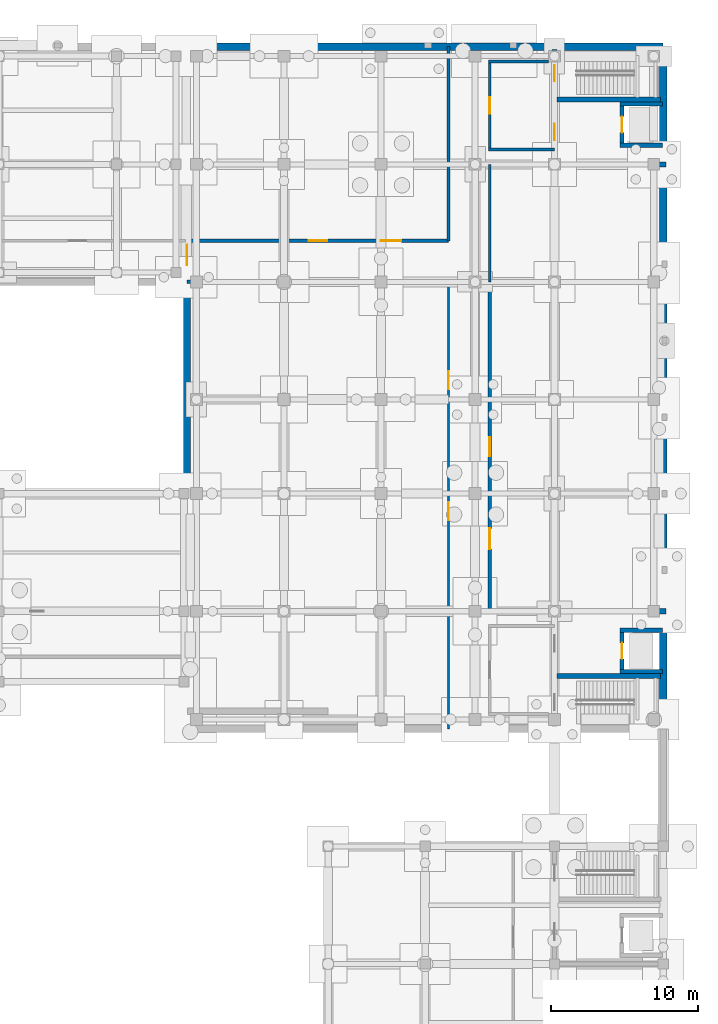
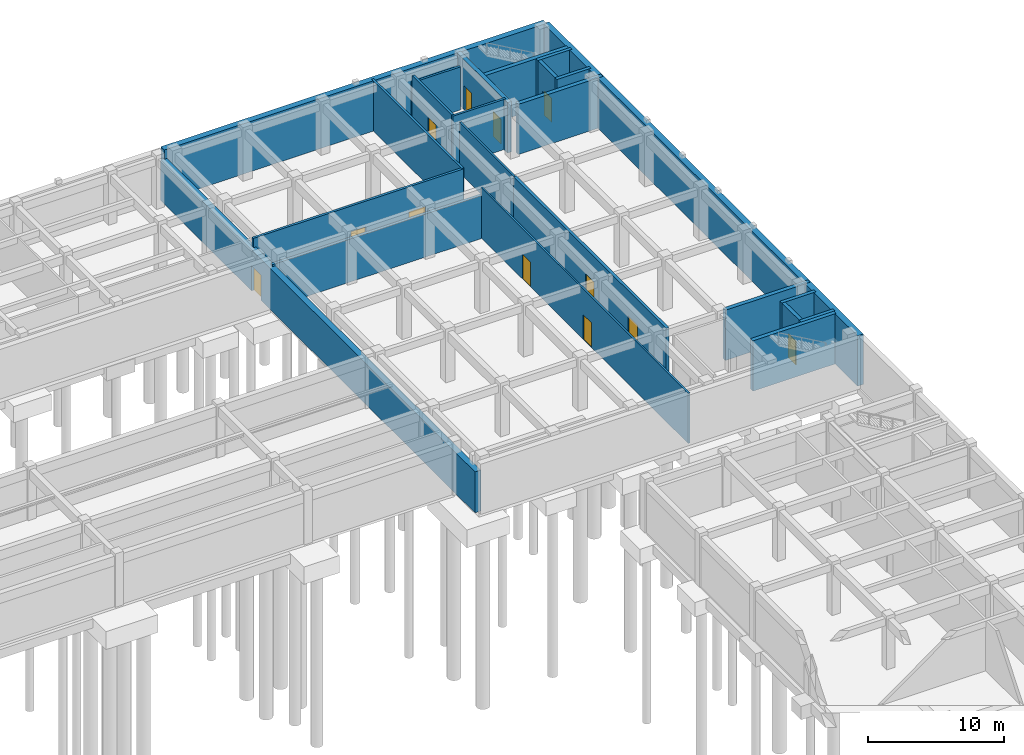
# One storey, part 27 of 35: 23 walls, 12 doors, 12 openings.
"""IFC4 building model written with IfcOpenShell, lengths in metres."""

import ifcopenshell
import ifcopenshell.guid

model = None  # the IFC model being written
_history = None  # IfcOwnerHistory: only IFC2X3 demands one
_inside = {}  # id of a spatial element -> (the spatial element, [elements in it])
_under = {}  # id of a project, library or spatial element -> (it, [spatial elements below it])
_declared = {}  # id of a project -> (the project, [libraries it declares])
_typed = {}  # id of a type object -> (the type object, [elements of that type])
_made_of = {}  # id of a material, layer set ... -> (it, [elements and type objects made of it])


def new_model(schema):
    """Start an empty IFC model of exactly this schema.

    Asked for "IFC4X3", IfcOpenShell would pick the latest addendum, in which some entities
    have other attributes; the version numbers below select the first issue.
    IFC2X3 requires an IfcOwnerHistory on every rooted entity: one is made here for all.
    """
    global model, _history
    if schema == "IFC4X3":
        model = ifcopenshell.file(schema_version=(4, 3, 0, 0))
    else:
        model = ifcopenshell.file(schema=schema)
    _inside.clear()
    _under.clear()
    _declared.clear()
    _typed.clear()
    _made_of.clear()
    _history = None
    if model.schema == "IFC2X3":
        org = make("IfcOrganization", Name="unknown")
        user = make(
            "IfcPersonAndOrganization",
            ThePerson=make("IfcPerson", FamilyName="unknown"),
            TheOrganization=org,
        )
        app = make(
            "IfcApplication",
            ApplicationDeveloper=org,
            Version="unknown",
            ApplicationFullName="unknown",
            ApplicationIdentifier="unknown",
        )
        _history = make(
            "IfcOwnerHistory",
            OwningUser=user,
            OwningApplication=app,
            ChangeAction="ADDED",
            CreationDate=0,
        )
    return model


def make(cls, **values):
    """One entity of the class cls with the attributes given. An attribute that is None is left unset."""
    return model.create_entity(
        cls, **{name: value for name, value in values.items() if value is not None}
    )


def rooted(cls, **values):
    """An entity with a GlobalId (a new one), such as an element, a storey or a relation."""
    return make(cls, GlobalId=ifcopenshell.guid.new(), OwnerHistory=_history, **values)


def si_unit(unit_type, name, prefix=None):
    """IfcSIUnit, for example si_unit("LENGTHUNIT", "METRE", prefix="MILLI")."""
    return make("IfcSIUnit", UnitType=unit_type, Prefix=prefix, Name=name)


def assignment(units):
    """IfcUnitAssignment: the units of a project."""
    return None if units is None else make("IfcUnitAssignment", Units=units)


def point(xyz):
    """IfcCartesianPoint."""
    return None if xyz is None else make("IfcCartesianPoint", Coordinates=xyz)


def direction(xyz):
    """IfcDirection."""
    return None if xyz is None else make("IfcDirection", DirectionRatios=xyz)


def frame(location, z_axis=None, x_axis=None):
    """IfcAxis2Placement3D, a coordinate frame: its origin and axes. An axis left out is left unset."""
    return make(
        "IfcAxis2Placement3D",
        Location=point(location),
        Axis=direction(z_axis),
        RefDirection=direction(x_axis),
    )


def frame_2d(location, x_axis=None):
    """IfcAxis2Placement2D, a coordinate frame in the plane: its origin and x axis."""
    return make(
        "IfcAxis2Placement2D", Location=point(location), RefDirection=direction(x_axis)
    )


def origin():
    """The frame at (0, 0, 0) with its axes left unset."""
    return frame((0.0, 0.0, 0.0))


def place(relative_to, where):
    """IfcLocalPlacement: puts the frame where relative to a parent placement (None: the world)."""
    return make(
        "IfcLocalPlacement", PlacementRelTo=relative_to, RelativePlacement=where
    )


def context(
    kind, dimensions, precision=None, world=None, true_north=None, identifier=None
):
    """IfcGeometricRepresentationContext, for example the 3D "Model" context."""
    return make(
        "IfcGeometricRepresentationContext",
        ContextIdentifier=identifier,
        ContextType=kind,
        CoordinateSpaceDimension=dimensions,
        Precision=precision,
        WorldCoordinateSystem=world,
        TrueNorth=true_north,
    )


def subcontext(parent, identifier, kind, view, scale=None):
    """IfcGeometricRepresentationSubContext, for example "Body" below "Model"."""
    return make(
        "IfcGeometricRepresentationSubContext",
        ContextIdentifier=identifier,
        ContextType=kind,
        ParentContext=parent,
        TargetScale=scale,
        TargetView=view,
    )


def project(units=None, contexts=None):
    """IfcProject with its units and contexts."""
    return rooted(
        "IfcProject",
        Name="project",
        RepresentationContexts=contexts,
        UnitsInContext=assignment(units),
    )


def spatial(cls, under=None, at=None, **own):
    """A site, building, storey or space (cls), placed at a placement, below another one or the project."""
    s = rooted(cls, ObjectPlacement=at, **own)
    if under is not None:
        _under.setdefault(under.id(), (under, []))[1].append(s)
    return s


def profile(cls, at=None, kind="AREA", **sizes):
    """A parametric profile (cls). Its sizes go by their IFC names, for example OverallWidth=200.0."""
    return make(cls, ProfileType=kind, Position=at, **sizes)


def rectangle(**sizes):
    """IfcRectangleProfileDef."""
    return profile("IfcRectangleProfileDef", **sizes)


def extrude(swept, where, along, depth):
    """IfcExtrudedAreaSolid: the profile swept, set in the frame where, extruded along a direction by depth."""
    return make(
        "IfcExtrudedAreaSolid",
        SweptArea=swept,
        Position=where,
        ExtrudedDirection=direction(along),
        Depth=depth,
    )


def shape(context_of_items, identifier, shape_type, items):
    """IfcShapeRepresentation: the items that make up one representation, for example the "Body"."""
    return make(
        "IfcShapeRepresentation",
        ContextOfItems=context_of_items,
        RepresentationIdentifier=identifier,
        RepresentationType=shape_type,
        Items=items,
    )


def material(Name=None, Category=None):
    """IfcMaterial."""
    return make("IfcMaterial", Name=Name, Category=Category)


def layer(
    of_material, thickness, ventilated=None, Name=None, Category=None, Priority=None
):
    """IfcMaterialLayer: one layer of a wall or slab, of a material (None: an air gap)."""
    return make(
        "IfcMaterialLayer",
        Material=of_material,
        LayerThickness=thickness,
        IsVentilated=ventilated,
        Name=Name,
        Category=Category,
        Priority=Priority,
    )


def layer_set(layers, Name=None):
    """IfcMaterialLayerSet."""
    return make("IfcMaterialLayerSet", MaterialLayers=layers, LayerSetName=Name)


def made_of(thing, what):
    """Note that an element or type object is made of a material, layer set ...; save() writes the relation."""
    if what is not None:
        _made_of.setdefault(what.id(), (what, []))[1].append(thing)
    return thing


def type_object(cls, material=None, **own):
    """A type object (cls), such as IfcWallType, which elements share."""
    return made_of(rooted(cls, **own), material)


def element(
    cls,
    number,
    at=None,
    inside=None,
    cuts=None,
    type_object=None,
    material=None,
    context=None,
    identifier="Body",
    shape_type=None,
    held_by="IfcProductDefinitionShape",
    body=None,
    shapes=None,
    **own,
):
    """One element of the class cls, such as IfcWall. Its Tag is "e" and its number.

    at: its placement. inside: the storey or other place that contains it. cuts: it is an
    opening in that element (IfcRelVoidsElement). A single representation is given by context,
    identifier, shape_type and body (its items); several are given by shapes. held_by: the class
    of the entity that holds the representations. save() writes the other relations.
    """
    e = rooted(cls, Tag="e%d" % number, ObjectPlacement=at, **own)
    if body is not None:
        shapes = [shape(context, identifier, shape_type, body)]
    if shapes is not None:
        e.Representation = make(held_by, Representations=shapes)
    if inside is not None:
        _inside.setdefault(inside.id(), (inside, []))[1].append(e)
    if cuts is not None:
        rooted(
            "IfcRelVoidsElement", RelatingBuildingElement=cuts, RelatedOpeningElement=e
        )
    if type_object is not None:
        _typed.setdefault(type_object.id(), (type_object, []))[1].append(e)
    return made_of(e, material)


def fill(opening, filler):
    """IfcRelFillsElement: the door or window that sits in an opening."""
    return rooted(
        "IfcRelFillsElement",
        RelatingOpeningElement=opening,
        RelatedBuildingElement=filler,
    )


def aggregate(whole, parts):
    """IfcRelAggregates: a whole, such as a stair, and the parts it consists of."""
    return rooted("IfcRelAggregates", RelatingObject=whole, RelatedObjects=parts)


def save(model, path):
    """Write the relations noted so far, then the file.

    IfcRelAggregates (storeys below a building ...), IfcRelContainedInSpatialStructure (elements
    in a storey), IfcRelDefinesByType, IfcRelAssociatesMaterial and IfcRelDeclares: one each for
    every whole, place, type object, material and project.
    """
    for whole, parts in _under.values():
        aggregate(whole, parts)
    for where, things in _inside.values():
        rooted(
            "IfcRelContainedInSpatialStructure",
            RelatedElements=things,
            RelatingStructure=where,
        )
    for kind, things in _typed.values():
        rooted("IfcRelDefinesByType", RelatedObjects=things, RelatingType=kind)
    for what, things in _made_of.values():
        rooted("IfcRelAssociatesMaterial", RelatedObjects=things, RelatingMaterial=what)
    for by, libraries in _declared.values():
        rooted("IfcRelDeclares", RelatingContext=by, RelatedDefinitions=libraries)
    model.write(path)


model = new_model("IFC4")

# Units and contexts
model_context = context("Model", 3, precision=1e-05, world=origin(), true_north=direction((0.0, 1.0)))
body_context = subcontext(model_context, "Body", "Model", "MODEL_VIEW")
ifc_project = project(units=[si_unit("LENGTHUNIT", "METRE"), si_unit("AREAUNIT", "SQUARE_METRE"), si_unit("VOLUMEUNIT", "CUBIC_METRE"), si_unit("PLANEANGLEUNIT", "RADIAN"), si_unit("MASSUNIT", "GRAM", prefix="KILO")], contexts=[model_context])

# Site, building, storey
site_placement = place(None, origin())
site = spatial("IfcSite", under=ifc_project, at=site_placement, CompositionType="ELEMENT")
building_placement = place(site_placement, origin())
building = spatial("IfcBuilding", under=site, at=building_placement, Name="Cinchona Park Media Centre", CompositionType="ELEMENT")
storey_placement = place(building_placement, frame((0.0, 0.0, -4.800048828125)))
storey = spatial("IfcBuildingStorey", under=building, at=storey_placement, Name="B1", CompositionType="ELEMENT", Elevation=-4.800048828125)

# Wall, openings, doors
ifc_material_1 = material(Name="Acoustic Double-Stud Gypsum Partition", Category="gypsum")
ifc_layer_1 = layer(ifc_material_1, 0.2099609375)
ifc_layer_set_1 = layer_set([ifc_layer_1], Name="Acoustic Double-Stud Gypsum Partition")
wall_type_1 = type_object("IfcWallType", Name="WALL-W-AC210", PredefinedType="PARTITIONING", material=ifc_layer_set_1)
wall_1_placement = place(storey_placement, frame((139.60009765625, 104.800048828125, 0.0), z_axis=(0.0, 0.0, 1.0), x_axis=(1.0, 0.0, 0.0)))
wall_1 = element("IfcWall", 1, at=wall_1_placement, inside=storey, type_object=wall_type_1, Name="Interior Wall W-AC210 B1", PredefinedType="PARTITIONING", context=body_context, shape_type="SweptSolid", body=[
    extrude(rectangle(XDim=17.7998046875, YDim=0.2099609375, at=frame_2d((8.89990234375, 0.0))), origin(), (0.0, 0.0, 1.0), 4.5),
])
opening_1_placement = place(wall_1_placement, frame((8.27001953125, 0.0, 0.0)))
opening_1 = element("IfcOpeningElement", 2, at=opening_1_placement, cuts=wall_1, Name="Opening D176", PredefinedType="OPENING", context=body_context, shape_type="SweptSolid", body=[
    extrude(rectangle(XDim=1.260009765625, YDim=2.199951171875, at=frame_2d((0.6298828125, 1.10009765625))), frame((0.0, 0.114990234375, 0.0), z_axis=(0.0, -1.0, 0.0), x_axis=(1.0, 0.0, 0.0)), (0.0, 0.0, 1.0), 0.22998046875),
])
opening_2_placement = place(wall_1_placement, frame((13.18408203125, 0.0, 0.0)))
opening_2 = element("IfcOpeningElement", 3, at=opening_2_placement, cuts=wall_1, Name="Opening D177", PredefinedType="OPENING", context=body_context, shape_type="SweptSolid", body=[
    extrude(rectangle(XDim=1.39990234375, YDim=2.25, at=frame_2d((0.699951171875, 1.125))), frame((0.0, 0.114990234375, 0.0), z_axis=(0.0, -1.0, 0.0), x_axis=(1.0, 0.0, 0.0)), (0.0, 0.0, 1.0), 0.22998046875),
])
ifc_material_2 = material(Name="Acoustic Double-Seal Steel Door", Category="steel")
door_type_1 = type_object("IfcDoorType", Name="DOOR-DT-AC", OperationType="NOTDEFINED", PredefinedType="DOOR", material=ifc_material_2)
door_1_placement = place(opening_2_placement, origin())
door_1 = element("IfcDoor", 4, at=door_1_placement, inside=storey, type_object=door_type_1, Name="Interior Door D177", OperationType="SINGLE_SWING_LEFT", OverallHeight=2.25, OverallWidth=1.39990234375, PredefinedType="DOOR", context=body_context, shape_type="SweptSolid", body=[
    extrude(rectangle(XDim=1.39990234375, YDim=2.25, at=frame_2d((0.699951171875, 1.125))), frame((0.0, 0.02490234375, 0.0), z_axis=(0.0, -1.0, 0.0), x_axis=(1.0, 0.0, 0.0)), (0.0, 0.0, 1.0), 0.050048828125),
])
fill(opening_2, door_1)
ifc_material_3 = material(Name="Fire-Rated Acoustic Timber-Steel Door", Category="steel")
door_type_2 = type_object("IfcDoorType", Name="DOOR-DT11", OperationType="NOTDEFINED", PredefinedType="DOOR", material=ifc_material_3)
door_2_placement = place(opening_1_placement, origin())
door_2 = element("IfcDoor", 5, at=door_2_placement, inside=storey, type_object=door_type_2, Name="Interior Door D176", OperationType="SINGLE_SWING_RIGHT", OverallHeight=2.199951171875, OverallWidth=1.260009765625, PredefinedType="DOOR", context=body_context, shape_type="SweptSolid", body=[
    extrude(rectangle(XDim=1.260009765625, YDim=2.199951171875, at=frame_2d((0.6298828125, 1.10009765625))), frame((0.0, 0.02490234375, 0.0), z_axis=(0.0, -1.0, 0.0), x_axis=(1.0, 0.0, 0.0)), (0.0, 0.0, 1.0), 0.050048828125),
])
fill(opening_1, door_2)

# Wall
ifc_material_4 = material(Name="Acoustic Double-Stud Gypsum Partition", Category="gypsum")
ifc_layer_2 = layer(ifc_material_4, 0.239990234375)
ifc_layer_set_2 = layer_set([ifc_layer_2], Name="Acoustic Double-Stud Gypsum Partition")
wall_type_2 = type_object("IfcWallType", Name="WALL-W-AC240", PredefinedType="PARTITIONING", material=ifc_layer_set_2)
wall_2_placement = place(storey_placement, frame((157.39990234375, 102.0, 0.0), z_axis=(0.0, 0.0, 1.0), x_axis=(-1.0, 0.0, 0.0)))
element("IfcWall", 6, at=wall_2_placement, inside=storey, type_object=wall_type_2, Name="Interior Wall W-AC240 B1", PredefinedType="PARTITIONING", context=body_context, shape_type="SweptSolid", body=[
    extrude(rectangle(XDim=17.7998046875, YDim=0.239990234375, at=frame_2d((8.89990234375, 0.0))), origin(), (0.0, 0.0, 1.0), 3.85009765625),
])

# Wall, openings, doors
wall_3_placement = place(storey_placement, frame((160.199951171875, 102.0, 0.0), z_axis=(0.0, 0.0, 1.0), x_axis=(0.0, -1.0, 0.0)))
wall_3 = element("IfcWall", 7, at=wall_3_placement, inside=storey, type_object=wall_type_2, Name="Interior Wall W-AC240 B1", PredefinedType="PARTITIONING", context=body_context, shape_type="SweptSolid", body=[
    extrude(rectangle(XDim=22.39990234375, YDim=0.239990234375, at=frame_2d((11.199951171875, 0.0))), origin(), (0.0, 0.0, 1.0), 4.5),
])
opening_3_placement = place(wall_3_placement, frame((10.550048828125, 0.0, 0.0)))
opening_3 = element("IfcOpeningElement", 8, at=opening_3_placement, cuts=wall_3, Name="Opening D178", PredefinedType="OPENING", context=body_context, shape_type="SweptSolid", body=[
    extrude(rectangle(XDim=1.300048828125, YDim=2.199951171875, at=frame_2d((0.64990234375, 1.10009765625))), frame((0.0, 0.1298828125, 0.0), z_axis=(0.0, -1.0, 0.0), x_axis=(1.0, 0.0, 0.0)), (0.0, 0.0, 1.0), 0.260009765625),
])
opening_4_placement = place(wall_3_placement, frame((16.77197265625, 0.0, 0.0)))
opening_4 = element("IfcOpeningElement", 9, at=opening_4_placement, cuts=wall_3, Name="Opening D179", PredefinedType="OPENING", context=body_context, shape_type="SweptSolid", body=[
    extrude(rectangle(XDim=1.39990234375, YDim=2.25, at=frame_2d((0.699951171875, 1.125))), frame((0.0, 0.1298828125, 0.0), z_axis=(0.0, -1.0, 0.0), x_axis=(1.0, 0.0, 0.0)), (0.0, 0.0, 1.0), 0.260009765625),
])
door_3_placement = place(opening_4_placement, origin())
door_3 = element("IfcDoor", 10, at=door_3_placement, inside=storey, type_object=door_type_1, Name="Interior Door D179", OperationType="SINGLE_SWING_LEFT", OverallHeight=2.25, OverallWidth=1.39990234375, PredefinedType="DOOR", context=body_context, shape_type="SweptSolid", body=[
    extrude(rectangle(XDim=1.39990234375, YDim=2.25, at=frame_2d((0.699951171875, 1.125))), frame((0.0, 0.02490234375, 0.0), z_axis=(0.0, -1.0, 0.0), x_axis=(1.0, 0.0, 0.0)), (0.0, 0.0, 1.0), 0.050048828125),
])
fill(opening_4, door_3)
ifc_material_5 = material(Name="Fire-Rated Acoustic Timber-Steel Door", Category="steel")
door_type_3 = type_object("IfcDoorType", Name="DOOR-DT12", OperationType="NOTDEFINED", PredefinedType="DOOR", material=ifc_material_5)
door_4_placement = place(opening_3_placement, origin())
door_4 = element("IfcDoor", 11, at=door_4_placement, inside=storey, type_object=door_type_3, Name="Interior Door D178", OperationType="SINGLE_SWING_RIGHT", OverallHeight=2.199951171875, OverallWidth=1.300048828125, PredefinedType="DOOR", context=body_context, shape_type="SweptSolid", body=[
    extrude(rectangle(XDim=1.300048828125, YDim=2.199951171875, at=frame_2d((0.64990234375, 1.10009765625))), frame((0.0, 0.02490234375, 0.0), z_axis=(0.0, -1.0, 0.0), x_axis=(1.0, 0.0, 0.0)), (0.0, 0.0, 1.0), 0.050048828125),
])
fill(opening_3, door_4)

# Walls
ifc_material_6 = material(Name="Concrete C40/50", Category="concrete")
ifc_layer_3 = layer(ifc_material_6, 0.35009765625)
ifc_layer_set_3 = layer_set([ifc_layer_3], Name="Concrete C40/50")
wall_type_3 = type_object("IfcWallType", Name="WALL-W-CR350", PredefinedType="SHEAR", material=ifc_layer_set_3)
wall_4_placement = place(storey_placement, frame((165.001953125, 79.60009765625, 0.0), z_axis=(0.0, 0.0, 1.0), x_axis=(1.0, 0.0, 0.0)))
element("IfcWall", 12, at=wall_4_placement, inside=storey, type_object=wall_type_3, Name="Core Shear Wall W-CR350 B1", PredefinedType="SHEAR", context=body_context, shape_type="SweptSolid", body=[
    extrude(rectangle(XDim=7.173095703125, YDim=0.35009765625, at=frame_2d((3.58642578125, 0.0))), origin(), (0.0, 0.0, 1.0), 4.5),
])
wall_5_placement = place(storey_placement, frame((164.77490234375, 75.199951171875, 0.0), z_axis=(0.0, 0.0, 1.0), x_axis=(1.0, 0.0, 0.0)))
element("IfcWall", 13, at=wall_5_placement, inside=storey, type_object=wall_type_3, Name="Core Shear Wall W-CR350 B1", PredefinedType="SHEAR", context=body_context, shape_type="SweptSolid", body=[
    extrude(rectangle(XDim=7.050048828125, YDim=0.35009765625, at=frame_2d((3.52490234375, 0.0))), origin(), (0.0, 0.0, 1.0), 4.5),
])
wall_6_placement = place(storey_placement, frame((165.001953125, 110.0, 0.0), z_axis=(0.0, 0.0, 1.0), x_axis=(1.0, 0.0, 0.0)))
element("IfcWall", 14, at=wall_6_placement, inside=storey, type_object=wall_type_3, Name="Core Shear Wall W-CR350 B1", PredefinedType="SHEAR", context=body_context, shape_type="SweptSolid", body=[
    extrude(rectangle(XDim=7.173095703125, YDim=0.35009765625, at=frame_2d((3.58642578125, 0.0))), origin(), (0.0, 0.0, 1.0), 4.5),
])

# Wall, openings, doors
wall_7_placement = place(storey_placement, frame((164.60009765625, 110.402099609375, 0.0), z_axis=(0.0, 0.0, 1.0), x_axis=(0.0, 1.0, 0.0)))
wall_7 = element("IfcWall", 15, at=wall_7_placement, inside=storey, type_object=wall_type_3, Name="Core Shear Wall W-CR350 B1", PredefinedType="SHEAR", context=body_context, shape_type="SweptSolid", body=[
    extrude(rectangle(XDim=7.4228515625, YDim=0.35009765625, at=frame_2d((3.71142578125, 0.0))), origin(), (0.0, 0.0, 1.0), 4.5),
])
opening_5_placement = place(wall_7_placement, frame((5.248046875, 0.0, 0.0)))
opening_5 = element("IfcOpeningElement", 16, at=opening_5_placement, cuts=wall_7, Name="Opening D029", PredefinedType="OPENING", context=body_context, shape_type="SweptSolid", body=[
    extrude(rectangle(XDim=1.10009765625, YDim=2.14990234375, at=frame_2d((0.550048828125, 1.074951171875))), frame((0.0, 0.18505859375, 0.0), z_axis=(0.0, -1.0, 0.0), x_axis=(1.0, 0.0, 0.0)), (0.0, 0.0, 1.0), 0.3701171875),
])
opening_6_placement = place(wall_7_placement, frame((1.222900390625, 0.0, 0.0)))
opening_6 = element("IfcOpeningElement", 17, at=opening_6_placement, cuts=wall_7, Name="Opening D030", PredefinedType="OPENING", context=body_context, shape_type="SweptSolid", body=[
    extrude(rectangle(XDim=1.14990234375, YDim=2.199951171875, at=frame_2d((0.574951171875, 1.10009765625))), frame((0.0, 0.18505859375, 0.0), z_axis=(0.0, -1.0, 0.0), x_axis=(1.0, 0.0, 0.0)), (0.0, 0.0, 1.0), 0.3701171875),
])
ifc_material_7 = material(Name="Insulated Fire-Rated Steel Door", Category="steel")
door_type_4 = type_object("IfcDoorType", Name="DOOR-DT-FF", OperationType="NOTDEFINED", PredefinedType="DOOR", material=ifc_material_7)
door_5_placement = place(opening_6_placement, origin())
door_5 = element("IfcDoor", 18, at=door_5_placement, inside=storey, type_object=door_type_4, Name="Interior Door D030", OperationType="SINGLE_SWING_RIGHT", OverallHeight=2.199951171875, OverallWidth=1.14990234375, PredefinedType="DOOR", context=body_context, shape_type="SweptSolid", body=[
    extrude(rectangle(XDim=1.14990234375, YDim=2.199951171875, at=frame_2d((0.574951171875, 1.10009765625))), frame((0.0, 0.02490234375, 0.0), z_axis=(0.0, -1.0, 0.0), x_axis=(1.0, 0.0, 0.0)), (0.0, 0.0, 1.0), 0.050048828125),
])
fill(opening_6, door_5)
ifc_material_8 = material(Name="Insulated Fire-Rated Steel Door", Category="steel")
door_type_5 = type_object("IfcDoorType", Name="DOOR-DT-ST", OperationType="NOTDEFINED", PredefinedType="DOOR", material=ifc_material_8)
door_6_placement = place(opening_5_placement, origin())
door_6 = element("IfcDoor", 19, at=door_6_placement, inside=storey, type_object=door_type_5, Name="Interior Door D029", OperationType="SINGLE_SWING_LEFT", OverallHeight=2.14990234375, OverallWidth=1.10009765625, PredefinedType="DOOR", context=body_context, shape_type="SweptSolid", body=[
    extrude(rectangle(XDim=1.10009765625, YDim=2.14990234375, at=frame_2d((0.550048828125, 1.074951171875))), frame((0.0, 0.02490234375, 0.0), z_axis=(0.0, -1.0, 0.0), x_axis=(1.0, 0.0, 0.0)), (0.0, 0.0, 1.0), 0.050048828125),
])
fill(opening_5, door_6)

# Wall
wall_8_placement = place(storey_placement, frame((164.77490234375, 114.39990234375, 0.0), z_axis=(0.0, 0.0, 1.0), x_axis=(1.0, 0.0, 0.0)))
element("IfcWall", 20, at=wall_8_placement, inside=storey, type_object=wall_type_3, Name="Core Shear Wall W-CR350 B1", PredefinedType="SHEAR", context=body_context, shape_type="SweptSolid", body=[
    extrude(rectangle(XDim=7.050048828125, YDim=0.35009765625, at=frame_2d((3.52490234375, 0.0))), origin(), (0.0, 0.0, 1.0), 4.5),
])

# Wall, openings, doors
ifc_material_9 = material(Name="Fire-Rated Gypsum Stud Partition", Category="gypsum")
ifc_layer_4 = layer(ifc_material_9, 0.14990234375)
ifc_layer_set_4 = layer_set([ifc_layer_4], Name="Fire-Rated Gypsum Stud Partition")
wall_type_4 = type_object("IfcWallType", Name="WALL-W-PT150", PredefinedType="PARTITIONING", material=ifc_layer_set_4)
wall_9_placement = place(storey_placement, frame((157.39990234375, 71.60009765625, 0.0), z_axis=(0.0, 0.0, 1.0), x_axis=(0.0, 1.0, 0.0)))
wall_9 = element("IfcWall", 21, at=wall_9_placement, inside=storey, type_object=wall_type_4, Name="Interior Wall W-PT150 B1", PredefinedType="PARTITIONING", context=body_context, shape_type="SweptSolid", body=[
    extrude(rectangle(XDim=30.39990234375, YDim=0.14990234375, at=frame_2d((15.199951171875, 0.0))), origin(), (0.0, 0.0, 1.0), 4.5),
])
opening_7_placement = place(wall_9_placement, frame((14.179931640625, 0.0, 0.0)))
opening_7 = element("IfcOpeningElement", 22, at=opening_7_placement, cuts=wall_9, Name="Opening D174", PredefinedType="OPENING", context=body_context, shape_type="SweptSolid", body=[
    extrude(rectangle(XDim=1.219970703125, YDim=2.199951171875, at=frame_2d((0.60986328125, 1.10009765625))), frame((0.0, 0.0849609375, 0.0), z_axis=(0.0, -1.0, 0.0), x_axis=(1.0, 0.0, 0.0)), (0.0, 0.0, 1.0), 0.169921875),
])
opening_8_placement = place(wall_9_placement, frame((23.10205078125, 0.0, 0.0)))
opening_8 = element("IfcOpeningElement", 23, at=opening_8_placement, cuts=wall_9, Name="Opening D175", PredefinedType="OPENING", context=body_context, shape_type="SweptSolid", body=[
    extrude(rectangle(XDim=1.219970703125, YDim=2.199951171875, at=frame_2d((0.60986328125, 1.10009765625))), frame((0.0, 0.0849609375, 0.0), z_axis=(0.0, -1.0, 0.0), x_axis=(1.0, 0.0, 0.0)), (0.0, 0.0, 1.0), 0.169921875),
])
ifc_material_10 = material(Name="Fire-Rated Acoustic Timber-Steel Door", Category="steel")
door_type_6 = type_object("IfcDoorType", Name="DOOR-DT10", OperationType="NOTDEFINED", PredefinedType="DOOR", material=ifc_material_10)
door_7_placement = place(opening_7_placement, origin())
door_7 = element("IfcDoor", 24, at=door_7_placement, inside=storey, type_object=door_type_6, Name="Interior Door D174", OperationType="SINGLE_SWING_RIGHT", OverallHeight=2.199951171875, OverallWidth=1.219970703125, PredefinedType="DOOR", context=body_context, shape_type="SweptSolid", body=[
    extrude(rectangle(XDim=1.219970703125, YDim=2.199951171875, at=frame_2d((0.60986328125, 1.10009765625))), frame((0.0, 0.02490234375, 0.0), z_axis=(0.0, -1.0, 0.0), x_axis=(1.0, 0.0, 0.0)), (0.0, 0.0, 1.0), 0.050048828125),
])
fill(opening_7, door_7)
door_8_placement = place(opening_8_placement, origin())
door_8 = element("IfcDoor", 25, at=door_8_placement, inside=storey, type_object=door_type_6, Name="Interior Door D175", OperationType="SINGLE_SWING_LEFT", OverallHeight=2.199951171875, OverallWidth=1.219970703125, PredefinedType="DOOR", context=body_context, shape_type="SweptSolid", body=[
    extrude(rectangle(XDim=1.219970703125, YDim=2.199951171875, at=frame_2d((0.60986328125, 1.10009765625))), frame((0.0, 0.02490234375, 0.0), z_axis=(0.0, -1.0, 0.0), x_axis=(1.0, 0.0, 0.0)), (0.0, 0.0, 1.0), 0.050048828125),
])
fill(opening_8, door_8)

# Walls
ifc_material_11 = material(Name="Fire-Rated Gypsum Stud Partition", Category="gypsum")
ifc_layer_5 = layer(ifc_material_11, 0.1650390625)
ifc_layer_set_5 = layer_set([ifc_layer_5], Name="Fire-Rated Gypsum Stud Partition")
wall_type_5 = type_object("IfcWallType", Name="WALL-W-PT165", PredefinedType="PARTITIONING", material=ifc_layer_set_5)
wall_10_placement = place(storey_placement, frame((160.199951171875, 110.0, 0.0), z_axis=(0.0, 0.0, 1.0), x_axis=(0.0, -1.0, 0.0)))
element("IfcWall", 26, at=wall_10_placement, inside=storey, type_object=wall_type_5, Name="Interior Wall W-PT165 B1", PredefinedType="PARTITIONING", context=body_context, shape_type="SweptSolid", body=[
    extrude(rectangle(XDim=8.0, YDim=0.1650390625, at=frame_2d((4.0, 0.0))), origin(), (0.0, 0.0, 1.0), 4.5),
])
ifc_material_12 = material(Name="Fire-Rated Gypsum Stud Partition", Category="gypsum")
ifc_layer_6 = layer(ifc_material_12, 0.18994140625)
ifc_layer_set_6 = layer_set([ifc_layer_6], Name="Fire-Rated Gypsum Stud Partition")
wall_type_6 = type_object("IfcWallType", Name="WALL-W-PT190", PredefinedType="PARTITIONING", material=ifc_layer_set_6)
wall_11_placement = place(storey_placement, frame((160.10498046875, 111.0, 0.0), z_axis=(0.0, 0.0, 1.0), x_axis=(1.0, 0.0, 0.0)))
element("IfcWall", 27, at=wall_11_placement, inside=storey, type_object=wall_type_6, Name="Interior Wall W-PT190 B1", PredefinedType="PARTITIONING", context=body_context, shape_type="SweptSolid", body=[
    extrude(rectangle(XDim=4.4951171875, YDim=0.18994140625, at=frame_2d((2.24755859375, 0.0))), origin(), (0.0, 0.0, 1.0), 4.5),
])
wall_12_placement = place(storey_placement, frame((160.10498046875, 117.0, 0.0), z_axis=(0.0, 0.0, 1.0), x_axis=(1.0, 0.0, 0.0)))
element("IfcWall", 28, at=wall_12_placement, inside=storey, type_object=wall_type_6, Name="Interior Wall W-PT190 B1", PredefinedType="PARTITIONING", context=body_context, shape_type="SweptSolid", body=[
    extrude(rectangle(XDim=4.093017578125, YDim=0.18994140625, at=frame_2d((2.04638671875, 0.0))), origin(), (0.0, 0.0, 1.0), 3.85009765625),
])

# Wall, opening, door
wall_13_placement = place(storey_placement, frame((160.199951171875, 111.094970703125, 0.0), z_axis=(0.0, 0.0, 1.0), x_axis=(0.0, 1.0, 0.0)))
wall_13 = element("IfcWall", 29, at=wall_13_placement, inside=storey, type_object=wall_type_6, Name="Interior Wall W-PT190 B1", PredefinedType="PARTITIONING", context=body_context, shape_type="SweptSolid", body=[
    extrude(rectangle(XDim=5.81005859375, YDim=0.18994140625, at=frame_2d((2.905029296875, 0.0))), origin(), (0.0, 0.0, 1.0), 4.5),
])
opening_9_placement = place(wall_13_placement, frame((2.330078125, 0.0, 0.0)))
opening_9 = element("IfcOpeningElement", 30, at=opening_9_placement, cuts=wall_13, Name="Opening D031", PredefinedType="OPENING", context=body_context, shape_type="SweptSolid", body=[
    extrude(rectangle(XDim=1.14990234375, YDim=2.199951171875, at=frame_2d((0.574951171875, 1.10009765625))), frame((0.0, 0.10498046875, 0.0), z_axis=(0.0, -1.0, 0.0), x_axis=(1.0, 0.0, 0.0)), (0.0, 0.0, 1.0), 0.2099609375),
])
door_9_placement = place(opening_9_placement, origin())
door_9 = element("IfcDoor", 31, at=door_9_placement, inside=storey, type_object=door_type_4, Name="Interior Door D031", OperationType="SINGLE_SWING_LEFT", OverallHeight=2.199951171875, OverallWidth=1.14990234375, PredefinedType="DOOR", context=body_context, shape_type="SweptSolid", body=[
    extrude(rectangle(XDim=1.14990234375, YDim=2.199951171875, at=frame_2d((0.574951171875, 1.10009765625))), frame((0.0, 0.02490234375, 0.0), z_axis=(0.0, -1.0, 0.0), x_axis=(1.0, 0.0, 0.0)), (0.0, 0.0, 1.0), 0.050048828125),
])
fill(opening_9, door_9)

# Walls
wall_14_placement = place(storey_placement, frame((157.39990234375, 104.800048828125, 0.0), z_axis=(0.0, 0.0, 1.0), x_axis=(0.0, 1.0, 0.0)))
element("IfcWall", 32, at=wall_14_placement, inside=storey, type_object=wall_type_6, Name="Interior Wall W-PT190 B1", PredefinedType="PARTITIONING", context=body_context, shape_type="SweptSolid", body=[
    extrude(rectangle(XDim=13.199951171875, YDim=0.18994140625, at=frame_2d((6.60009765625, 0.0))), origin(), (0.0, 0.0, 1.0), 4.5),
])
ifc_material_13 = material(Name="Concrete C40/50", Category="concrete")
ifc_layer_7 = layer(ifc_material_13, 0.5)
ifc_layer_set_7 = layer_set([ifc_layer_7], Name="Concrete C40/50")
wall_type_7 = type_object("IfcWallType", Name="WALL-W-RT01", PredefinedType="USERDEFINED", material=ifc_layer_set_7)
wall_15_placement = place(storey_placement, frame((139.60009765625, 118.0, 0.0), z_axis=(0.0, 0.0, 1.0), x_axis=(1.0, 0.0, 0.0)))
element("IfcWall", 33, at=wall_15_placement, inside=storey, type_object=wall_type_7, Name="Basement Retaining Wall W-RT01", ObjectType="RETAININGWALL", PredefinedType="USERDEFINED", context=body_context, shape_type="SweptSolid", body=[
    extrude(rectangle(XDim=32.39990234375, YDim=0.5, at=frame_2d((16.199951171875, 0.0))), origin(), (0.0, 0.0, 1.0), 4.5),
])
wall_16_placement = place(storey_placement, frame((172.0, 117.860107421875, 0.0), z_axis=(0.0, 0.0, 1.0), x_axis=(0.0, -1.0, 0.0)))
element("IfcWall", 34, at=wall_16_placement, inside=storey, type_object=wall_type_7, Name="Basement Retaining Wall W-RT01", ObjectType="RETAININGWALL", PredefinedType="USERDEFINED", context=body_context, shape_type="SweptSolid", body=[
    extrude(rectangle(XDim=46.1201171875, YDim=0.5, at=frame_2d((23.06005859375, 0.0))), origin(), (0.0, 0.0, 1.0), 4.5),
])

# Wall, opening, door
wall_17_placement = place(storey_placement, frame((139.60009765625, 71.739990234375, 0.0), z_axis=(0.0, 0.0, 1.0), x_axis=(0.0, 1.0, 0.0)))
wall_17 = element("IfcWall", 35, at=wall_17_placement, inside=storey, type_object=wall_type_7, Name="Basement Retaining Wall W-RT01", ObjectType="RETAININGWALL", PredefinedType="USERDEFINED", context=body_context, shape_type="SweptSolid", body=[
    extrude(rectangle(XDim=46.1201171875, YDim=0.5, at=frame_2d((23.06005859375, 0.0))), origin(), (0.0, 0.0, 1.0), 3.670166015625),
])
opening_10_placement = place(wall_17_placement, frame((31.3798828125, 0.0, 0.0)))
opening_10 = element("IfcOpeningElement", 36, at=opening_10_placement, cuts=wall_17, Name="Opening D130", PredefinedType="OPENING", context=body_context, shape_type="SweptSolid", body=[
    extrude(rectangle(XDim=1.39990234375, YDim=2.25, at=frame_2d((0.699951171875, 1.125))), frame((0.0, 0.260009765625, 0.0), z_axis=(0.0, -1.0, 0.0), x_axis=(1.0, 0.0, 0.0)), (0.0, 0.0, 1.0), 0.52001953125),
])
door_10_placement = place(opening_10_placement, origin())
door_10 = element("IfcDoor", 37, at=door_10_placement, inside=storey, type_object=door_type_1, Name="Interior Door D130", OperationType="SINGLE_SWING_RIGHT", OverallHeight=2.25, OverallWidth=1.39990234375, PredefinedType="DOOR", context=body_context, shape_type="SweptSolid", body=[
    extrude(rectangle(XDim=1.39990234375, YDim=2.25, at=frame_2d((0.699951171875, 1.125))), frame((0.0, 0.02490234375, 0.0), z_axis=(0.0, -1.0, 0.0), x_axis=(1.0, 0.0, 0.0)), (0.0, 0.0, 1.0), 0.050048828125),
])
fill(opening_10, door_10)

# Walls
ifc_material_14 = material(Name="Concrete C40/50", Category="concrete")
ifc_layer_8 = layer(ifc_material_14, 0.2900390625)
ifc_layer_set_8 = layer_set([ifc_layer_8], Name="Concrete C40/50")
wall_type_8 = type_object("IfcWallType", Name="WALL-W-SH290", PredefinedType="SHEAR", material=ifc_layer_set_8)
for number, where, z_axis, x_axis, name in (
    (38, (169.054931640625, 75.5, 0.0), (0.0, 0.0, 1.0), (1.0, 0.0, 0.0), "Core Shear Wall W-SH290 B1"),
    (39, (169.054931640625, 78.300048828125, 0.0), (0.0, 0.0, 1.0), (1.0, 0.0, 0.0), "Core Shear Wall W-SH290 B1"),
):
    element("IfcWall", number, at=place(storey_placement, frame(where, z_axis=z_axis, x_axis=x_axis)), inside=storey, type_object=wall_type_8, Name=name, PredefinedType="SHEAR", context=body_context, shape_type="SweptSolid", body=[
        extrude(rectangle(XDim=2.89013671875, YDim=0.2900390625, at=frame_2d((1.445068359375, 0.0))), origin(), (0.0, 0.0, 1.0), 4.5),
    ])

# Wall, opening, door
wall_18_placement = place(storey_placement, frame((169.199951171875, 75.64501953125, 0.0), z_axis=(0.0, 0.0, 1.0), x_axis=(0.0, 1.0, 0.0)))
wall_18 = element("IfcWall", 40, at=wall_18_placement, inside=storey, type_object=wall_type_8, Name="Core Shear Wall W-SH290 B1", PredefinedType="SHEAR", context=body_context, shape_type="SweptSolid", body=[
    extrude(rectangle(XDim=2.510009765625, YDim=0.2900390625, at=frame_2d((1.2548828125, 0.0))), origin(), (0.0, 0.0, 1.0), 4.5),
])
opening_11_placement = place(wall_18_placement, frame((0.705078125, 0.0, 0.0)))
opening_11 = element("IfcOpeningElement", 41, at=opening_11_placement, cuts=wall_18, Name="Opening LD01", PredefinedType="OPENING", context=body_context, shape_type="SweptSolid", body=[
    extrude(rectangle(XDim=1.10009765625, YDim=2.14990234375, at=frame_2d((0.550048828125, 1.074951171875))), frame((0.0, 0.155029296875, 0.0), z_axis=(0.0, -1.0, 0.0), x_axis=(1.0, 0.0, 0.0)), (0.0, 0.0, 1.0), 0.31005859375),
])
ifc_material_15 = material(Name="Stainless Steel Sliding Lift Landing Door", Category="steel")
door_type_7 = type_object("IfcDoorType", Name="DOOR-DT-LD1", OperationType="NOTDEFINED", PredefinedType="DOOR", material=ifc_material_15)
door_11_placement = place(opening_11_placement, origin())
door_11 = element("IfcDoor", 42, at=door_11_placement, inside=storey, type_object=door_type_7, Name="Lift Landing Door LD01", OperationType="SLIDING_TO_LEFT", OverallHeight=2.14990234375, OverallWidth=1.10009765625, PredefinedType="DOOR", context=body_context, shape_type="SweptSolid", body=[
    extrude(rectangle(XDim=1.10009765625, YDim=2.14990234375, at=frame_2d((0.550048828125, 1.074951171875))), frame((0.0, 0.02490234375, 0.0), z_axis=(0.0, -1.0, 0.0), x_axis=(1.0, 0.0, 0.0)), (0.0, 0.0, 1.0), 0.050048828125),
])
fill(opening_11, door_11)

# Walls
for number, where, z_axis, x_axis, name in (
    (43, (169.054931640625, 111.300048828125, 0.0), (0.0, 0.0, 1.0), (1.0, 0.0, 0.0), "Core Shear Wall W-SH290 B1"),
    (44, (169.054931640625, 114.10009765625, 0.0), (0.0, 0.0, 1.0), (1.0, 0.0, 0.0), "Core Shear Wall W-SH290 B1"),
):
    element("IfcWall", number, at=place(storey_placement, frame(where, z_axis=z_axis, x_axis=x_axis)), inside=storey, type_object=wall_type_8, Name=name, PredefinedType="SHEAR", context=body_context, shape_type="SweptSolid", body=[
        extrude(rectangle(XDim=2.89013671875, YDim=0.2900390625, at=frame_2d((1.445068359375, 0.0))), origin(), (0.0, 0.0, 1.0), 4.5),
    ])

# Wall, opening, door
wall_19_placement = place(storey_placement, frame((169.199951171875, 111.445068359375, 0.0), z_axis=(0.0, 0.0, 1.0), x_axis=(0.0, 1.0, 0.0)))
wall_19 = element("IfcWall", 45, at=wall_19_placement, inside=storey, type_object=wall_type_8, Name="Core Shear Wall W-SH290 B1", PredefinedType="SHEAR", context=body_context, shape_type="SweptSolid", body=[
    extrude(rectangle(XDim=2.510009765625, YDim=0.2900390625, at=frame_2d((1.2548828125, 0.0))), origin(), (0.0, 0.0, 1.0), 4.5),
])
opening_12_placement = place(wall_19_placement, frame((0.705078125, 0.0, 0.0)))
opening_12 = element("IfcOpeningElement", 46, at=opening_12_placement, cuts=wall_19, Name="Opening LD02", PredefinedType="OPENING", context=body_context, shape_type="SweptSolid", body=[
    extrude(rectangle(XDim=1.10009765625, YDim=2.14990234375, at=frame_2d((0.550048828125, 1.074951171875))), frame((0.0, 0.155029296875, 0.0), z_axis=(0.0, -1.0, 0.0), x_axis=(1.0, 0.0, 0.0)), (0.0, 0.0, 1.0), 0.31005859375),
])
door_12_placement = place(opening_12_placement, origin())
door_12 = element("IfcDoor", 47, at=door_12_placement, inside=storey, type_object=door_type_7, Name="Lift Landing Door LD02", OperationType="SLIDING_TO_LEFT", OverallHeight=2.14990234375, OverallWidth=1.10009765625, PredefinedType="DOOR", context=body_context, shape_type="SweptSolid", body=[
    extrude(rectangle(XDim=1.10009765625, YDim=2.14990234375, at=frame_2d((0.550048828125, 1.074951171875))), frame((0.0, 0.02490234375, 0.0), z_axis=(0.0, -1.0, 0.0), x_axis=(1.0, 0.0, 0.0)), (0.0, 0.0, 1.0), 0.050048828125),
])
fill(opening_12, door_12)

save(model, "model.ifc")
